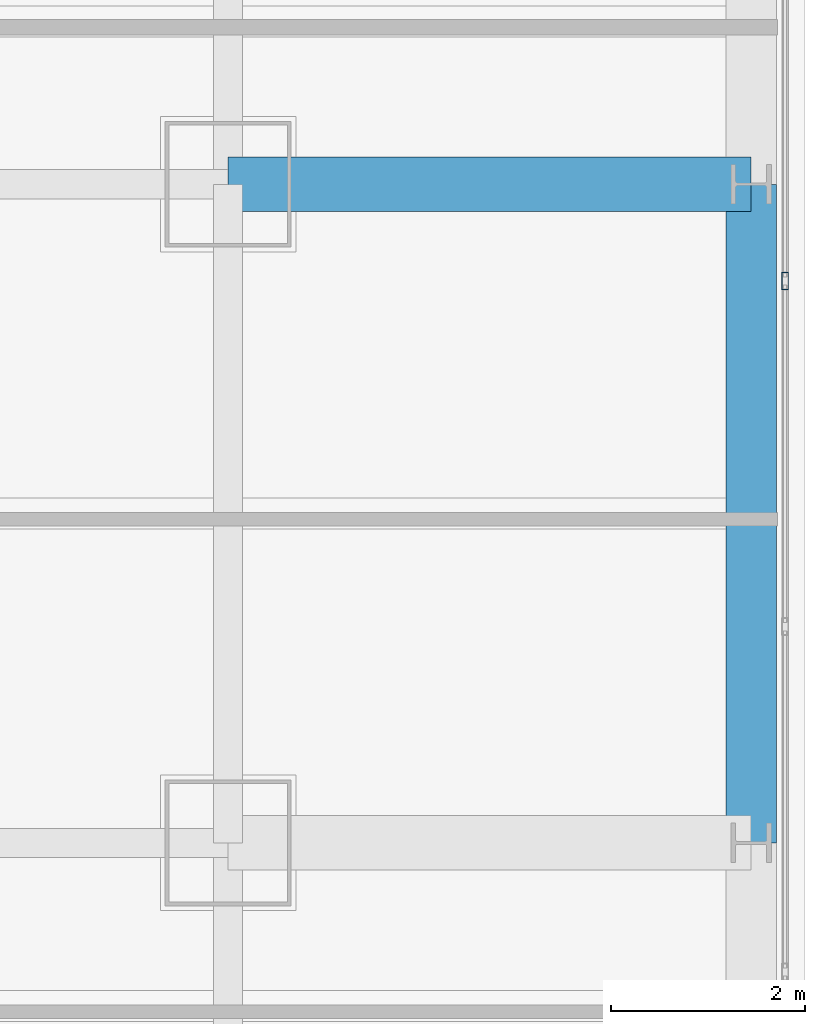
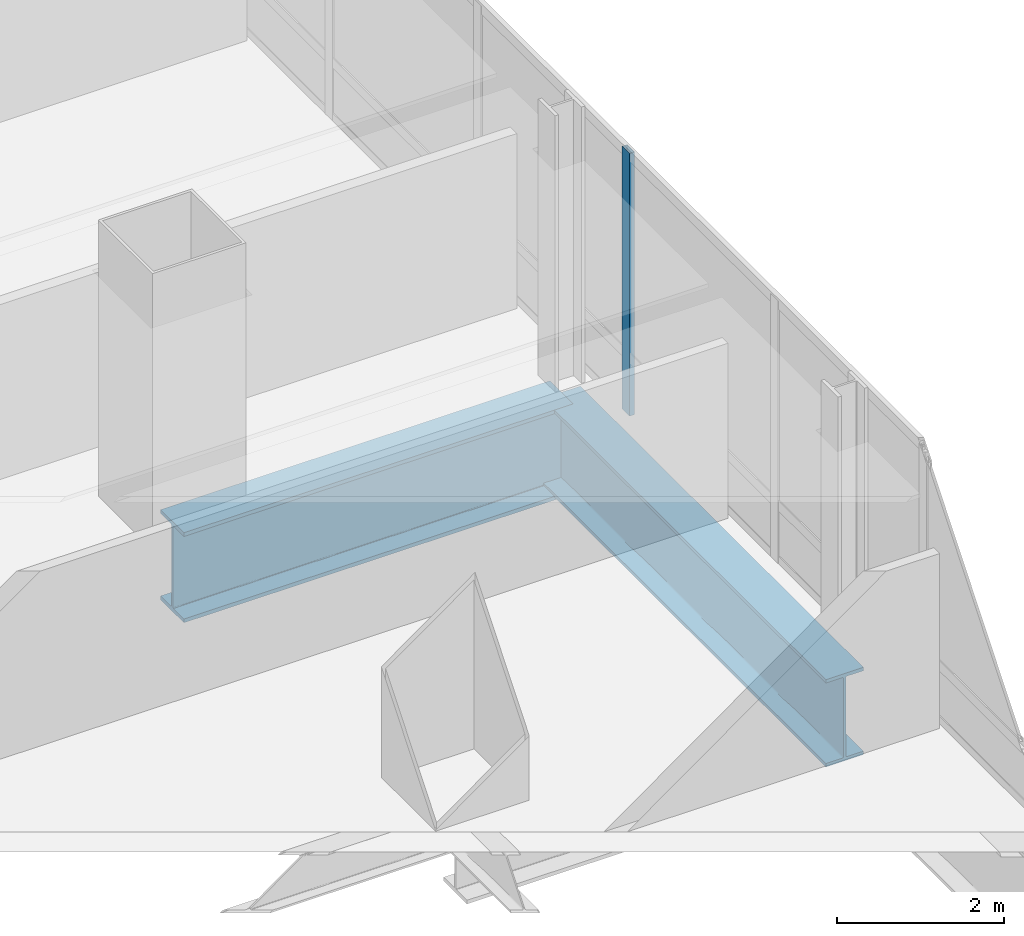
# One storey, part 19 of 39: 2 beams, 1 member, 1 element without a shape of its own.
"""IFC4 building model written with IfcOpenShell, lengths in metres."""

from ifc_helpers import new_model, si_unit, direction, frame, origin, origin_2d, place, context, subcontext, project, spatial, hollow_rectangle, i_section, extrude, material, material_profile, profile_set, type_object, element, aggregate, save


model = new_model("IFC4")

# Units and contexts
model_context = context("Model", 3, precision=1e-05, world=origin(), true_north=direction((0.0, 1.0)))
body_context = subcontext(model_context, "Body", "Model", "MODEL_VIEW")
ifc_project = project(units=[si_unit("LENGTHUNIT", "METRE"), si_unit("AREAUNIT", "SQUARE_METRE"), si_unit("VOLUMEUNIT", "CUBIC_METRE"), si_unit("PLANEANGLEUNIT", "RADIAN"), si_unit("MASSUNIT", "GRAM", prefix="KILO")], contexts=[model_context])

# Site, building, storey
site_placement = place(None, origin())
site = spatial("IfcSite", under=ifc_project, at=site_placement, CompositionType="ELEMENT")
building_placement = place(site_placement, origin())
building = spatial("IfcBuilding", under=site, at=building_placement, Name="Punatoya Terracotta Tower", CompositionType="ELEMENT")
storey_placement = place(building_placement, frame((0.0, 0.0, 275.699951171875)))
storey = spatial("IfcBuildingStorey", under=building, at=storey_placement, Name="L65", CompositionType="ELEMENT", Elevation=275.699951171875)

# Beams
ifc_material_1 = material(Name="Steel S460", Category="steel")
ifc_material_profile_1 = material_profile(ifc_material_1, i_section(OverallWidth=0.56005859375, OverallDepth=1.320068359375, WebThickness=0.035888671875, FlangeThickness=0.054931640625, FilletRadius=0.01806640625, at=origin_2d()))
ifc_profile_set_1 = profile_set([ifc_material_profile_1], Name="Steel S460")
beam_type_1 = type_object("IfcBeamType", Name="BM-TG-BLK", PredefinedType="BEAM", material=ifc_profile_set_1)
beam_1_placement = place(storey_placement, frame((19.10009765625, 3.39990234375, -0.85986328125), z_axis=(1.0, 0.0, 0.0), x_axis=(0.0, 1.0, 0.0)))
element("IfcBeam", 1, at=beam_1_placement, inside=storey, type_object=beam_type_1, Name="BM-L65-CANT-E3", PredefinedType="BEAM", context=body_context, shape_type="SweptSolid", body=[
    extrude(i_section(OverallWidth=0.56005859375, OverallDepth=1.320068359375, WebThickness=0.035888671875, FlangeThickness=0.054931640625, FilletRadius=0.01806640625, at=origin_2d()), origin(), (0.0, 0.0, 1.0), 5.39990234375),
])
ifc_material_profile_2 = material_profile(ifc_material_1, i_section(OverallWidth=0.52001953125, OverallDepth=1.280029296875, WebThickness=0.031982421875, FlangeThickness=0.050048828125, FilletRadius=0.01806640625, at=origin_2d()))
ifc_profile_set_2 = profile_set([ifc_material_profile_2], Name="Steel S460")
beam_type_2 = type_object("IfcBeamType", Name="BM-TG-NCK", PredefinedType="BEAM", material=ifc_profile_set_2)
beam_2_placement = place(storey_placement, frame((24.5, -3.39990234375, -0.83984375), z_axis=(0.0, 1.0, 0.0), x_axis=(-1.0, 0.0, 0.0)))
element("IfcBeam", 2, at=beam_2_placement, inside=storey, type_object=beam_type_2, Name="BM-L65-PER-E2", PredefinedType="BEAM", context=body_context, shape_type="SweptSolid", body=[
    extrude(i_section(OverallWidth=0.52001953125, OverallDepth=1.280029296875, WebThickness=0.031982421875, FlangeThickness=0.050048828125, FilletRadius=0.01806640625, at=origin_2d()), origin(), (0.0, 0.0, 1.0), 6.7998046875),
])

# Curtain wall, member
ifc_material_2 = material(Name="Aluminium 6063-T6 + Double Low-E Glass", Category="aluminium")
curtain_wall_type = type_object("IfcCurtainWallType", Name="CW-M3", PredefinedType="NOTDEFINED", material=ifc_material_2)
curtain_wall_placement = place(storey_placement, origin())
curtain_wall = element("IfcCurtainWall", 3, at=curtain_wall_placement, inside=storey, type_object=curtain_wall_type, Name="L65 Curtain Wall CW-L65-E05-1", PredefinedType="NOTDEFINED")
ifc_material_3 = material(Name="Aluminium 6063-T6", Category="aluminium")
ifc_material_profile_3 = material_profile(ifc_material_3, hollow_rectangle(XDim=0.070068359375, YDim=0.179931640625, WallThickness=0.00390625, at=origin_2d()))
ifc_profile_set_3 = profile_set([ifc_material_profile_3], Name="Aluminium 6063-T6")
member_type = type_object("IfcMemberType", Name="CW-MUL-M3", PredefinedType="MULLION", material=ifc_profile_set_3)
member_placement = place(storey_placement, frame((24.85009765625, 2.39990234375, 0.0), z_axis=(0.0, 0.0, 1.0), x_axis=(1.0, 0.0, 0.0)))
member = element("IfcMember", 4, at=member_placement, type_object=member_type, Name="CW-L65-E05-1 Mullion 05", PredefinedType="MULLION", context=body_context, shape_type="SweptSolid", body=[
    extrude(hollow_rectangle(XDim=0.070068359375, YDim=0.179931640625, WallThickness=0.00390625, at=origin_2d()), origin(), (0.0, 0.0, 1.0), 3.85009765625),
])
aggregate(curtain_wall, [member])

save(model, "model.ifc")
